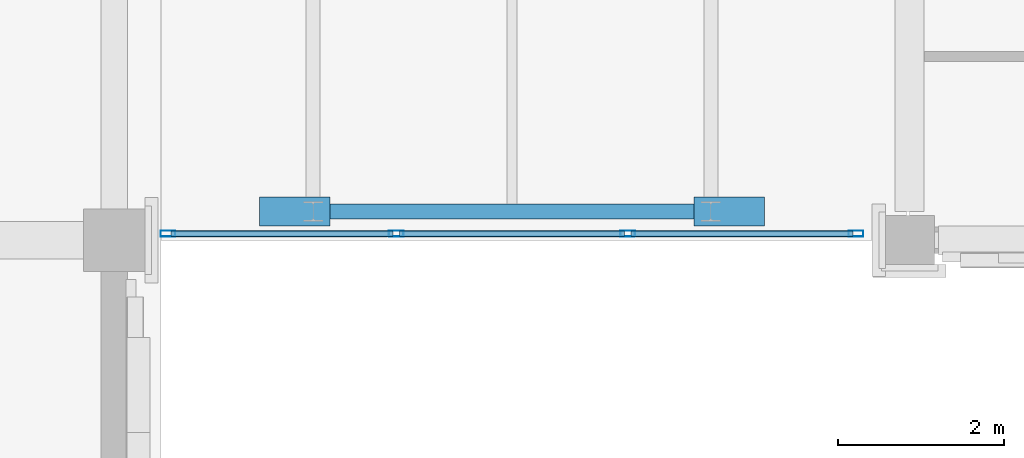
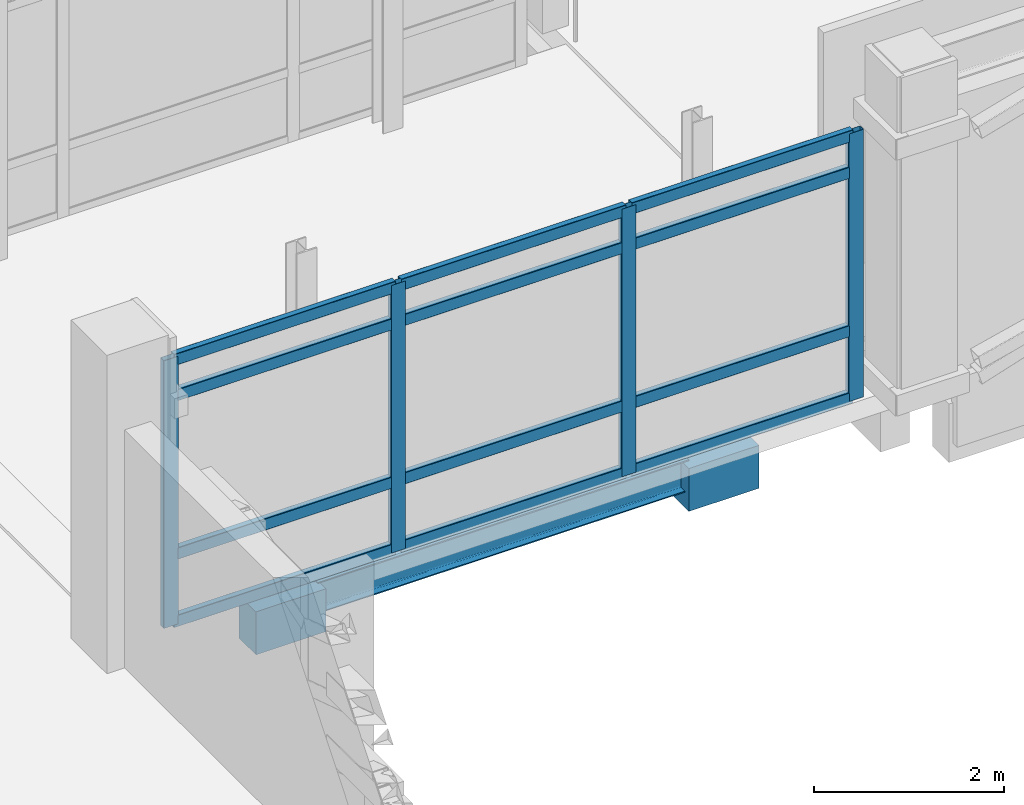
# One storey, part 101 of 180: 16 members, 3 beams, 1 element without a shape of its own.
"""IFC4 building model written with IfcOpenShell, lengths in metres."""

import ifcopenshell
import ifcopenshell.guid

model = None  # the IFC model being written
_history = None  # IfcOwnerHistory: only IFC2X3 demands one
_inside = {}  # id of a spatial element -> (the spatial element, [elements in it])
_under = {}  # id of a project, library or spatial element -> (it, [spatial elements below it])
_declared = {}  # id of a project -> (the project, [libraries it declares])
_typed = {}  # id of a type object -> (the type object, [elements of that type])
_made_of = {}  # id of a material, layer set ... -> (it, [elements and type objects made of it])


def new_model(schema):
    """Start an empty IFC model of exactly this schema.

    Asked for "IFC4X3", IfcOpenShell would pick the latest addendum, in which some entities
    have other attributes; the version numbers below select the first issue.
    IFC2X3 requires an IfcOwnerHistory on every rooted entity: one is made here for all.
    """
    global model, _history
    if schema == "IFC4X3":
        model = ifcopenshell.file(schema_version=(4, 3, 0, 0))
    else:
        model = ifcopenshell.file(schema=schema)
    _inside.clear()
    _under.clear()
    _declared.clear()
    _typed.clear()
    _made_of.clear()
    _history = None
    if model.schema == "IFC2X3":
        org = make("IfcOrganization", Name="unknown")
        user = make(
            "IfcPersonAndOrganization",
            ThePerson=make("IfcPerson", FamilyName="unknown"),
            TheOrganization=org,
        )
        app = make(
            "IfcApplication",
            ApplicationDeveloper=org,
            Version="unknown",
            ApplicationFullName="unknown",
            ApplicationIdentifier="unknown",
        )
        _history = make(
            "IfcOwnerHistory",
            OwningUser=user,
            OwningApplication=app,
            ChangeAction="ADDED",
            CreationDate=0,
        )
    return model


def make(cls, **values):
    """One entity of the class cls with the attributes given. An attribute that is None is left unset."""
    return model.create_entity(
        cls, **{name: value for name, value in values.items() if value is not None}
    )


def rooted(cls, **values):
    """An entity with a GlobalId (a new one), such as an element, a storey or a relation."""
    return make(cls, GlobalId=ifcopenshell.guid.new(), OwnerHistory=_history, **values)


def si_unit(unit_type, name, prefix=None):
    """IfcSIUnit, for example si_unit("LENGTHUNIT", "METRE", prefix="MILLI")."""
    return make("IfcSIUnit", UnitType=unit_type, Prefix=prefix, Name=name)


def assignment(units):
    """IfcUnitAssignment: the units of a project."""
    return None if units is None else make("IfcUnitAssignment", Units=units)


def point(xyz):
    """IfcCartesianPoint."""
    return None if xyz is None else make("IfcCartesianPoint", Coordinates=xyz)


def direction(xyz):
    """IfcDirection."""
    return None if xyz is None else make("IfcDirection", DirectionRatios=xyz)


def frame(location, z_axis=None, x_axis=None):
    """IfcAxis2Placement3D, a coordinate frame: its origin and axes. An axis left out is left unset."""
    return make(
        "IfcAxis2Placement3D",
        Location=point(location),
        Axis=direction(z_axis),
        RefDirection=direction(x_axis),
    )


def frame_2d(location, x_axis=None):
    """IfcAxis2Placement2D, a coordinate frame in the plane: its origin and x axis."""
    return make(
        "IfcAxis2Placement2D", Location=point(location), RefDirection=direction(x_axis)
    )


def origin():
    """The frame at (0, 0, 0) with its axes left unset."""
    return frame((0.0, 0.0, 0.0))


def origin_2d():
    """The frame at (0, 0) in the plane with its x axis left unset."""
    return frame_2d((0.0, 0.0))


def place(relative_to, where):
    """IfcLocalPlacement: puts the frame where relative to a parent placement (None: the world)."""
    return make(
        "IfcLocalPlacement", PlacementRelTo=relative_to, RelativePlacement=where
    )


def context(
    kind, dimensions, precision=None, world=None, true_north=None, identifier=None
):
    """IfcGeometricRepresentationContext, for example the 3D "Model" context."""
    return make(
        "IfcGeometricRepresentationContext",
        ContextIdentifier=identifier,
        ContextType=kind,
        CoordinateSpaceDimension=dimensions,
        Precision=precision,
        WorldCoordinateSystem=world,
        TrueNorth=true_north,
    )


def subcontext(parent, identifier, kind, view, scale=None):
    """IfcGeometricRepresentationSubContext, for example "Body" below "Model"."""
    return make(
        "IfcGeometricRepresentationSubContext",
        ContextIdentifier=identifier,
        ContextType=kind,
        ParentContext=parent,
        TargetScale=scale,
        TargetView=view,
    )


def project(units=None, contexts=None):
    """IfcProject with its units and contexts."""
    return rooted(
        "IfcProject",
        Name="project",
        RepresentationContexts=contexts,
        UnitsInContext=assignment(units),
    )


def spatial(cls, under=None, at=None, **own):
    """A site, building, storey or space (cls), placed at a placement, below another one or the project."""
    s = rooted(cls, ObjectPlacement=at, **own)
    if under is not None:
        _under.setdefault(under.id(), (under, []))[1].append(s)
    return s


def profile(cls, at=None, kind="AREA", **sizes):
    """A parametric profile (cls). Its sizes go by their IFC names, for example OverallWidth=200.0."""
    return make(cls, ProfileType=kind, Position=at, **sizes)


def rectangle(**sizes):
    """IfcRectangleProfileDef."""
    return profile("IfcRectangleProfileDef", **sizes)


def hollow_rectangle(**sizes):
    """IfcRectangleHollowProfileDef."""
    return profile("IfcRectangleHollowProfileDef", **sizes)


def i_section(**sizes):
    """IfcIShapeProfileDef."""
    return profile("IfcIShapeProfileDef", **sizes)


def extrude(swept, where, along, depth):
    """IfcExtrudedAreaSolid: the profile swept, set in the frame where, extruded along a direction by depth."""
    return make(
        "IfcExtrudedAreaSolid",
        SweptArea=swept,
        Position=where,
        ExtrudedDirection=direction(along),
        Depth=depth,
    )


def shape(context_of_items, identifier, shape_type, items):
    """IfcShapeRepresentation: the items that make up one representation, for example the "Body"."""
    return make(
        "IfcShapeRepresentation",
        ContextOfItems=context_of_items,
        RepresentationIdentifier=identifier,
        RepresentationType=shape_type,
        Items=items,
    )


def material(Name=None, Category=None):
    """IfcMaterial."""
    return make("IfcMaterial", Name=Name, Category=Category)


def layer(
    of_material, thickness, ventilated=None, Name=None, Category=None, Priority=None
):
    """IfcMaterialLayer: one layer of a wall or slab, of a material (None: an air gap)."""
    return make(
        "IfcMaterialLayer",
        Material=of_material,
        LayerThickness=thickness,
        IsVentilated=ventilated,
        Name=Name,
        Category=Category,
        Priority=Priority,
    )


def layer_set(layers, Name=None):
    """IfcMaterialLayerSet."""
    return make("IfcMaterialLayerSet", MaterialLayers=layers, LayerSetName=Name)


def material_profile(
    of_material, cross_section, Name=None, Category=None, Priority=None
):
    """IfcMaterialProfile: a cross section and its material."""
    return make(
        "IfcMaterialProfile",
        Name=Name,
        Material=of_material,
        Profile=cross_section,
        Priority=Priority,
        Category=Category,
    )


def profile_set(profiles, Name=None, composite=None):
    """IfcMaterialProfileSet."""
    return make(
        "IfcMaterialProfileSet",
        Name=Name,
        MaterialProfiles=profiles,
        CompositeProfile=composite,
    )


def made_of(thing, what):
    """Note that an element or type object is made of a material, layer set ...; save() writes the relation."""
    if what is not None:
        _made_of.setdefault(what.id(), (what, []))[1].append(thing)
    return thing


def type_object(cls, material=None, **own):
    """A type object (cls), such as IfcWallType, which elements share."""
    return made_of(rooted(cls, **own), material)


def element(
    cls,
    number,
    at=None,
    inside=None,
    cuts=None,
    type_object=None,
    material=None,
    context=None,
    identifier="Body",
    shape_type=None,
    held_by="IfcProductDefinitionShape",
    body=None,
    shapes=None,
    **own,
):
    """One element of the class cls, such as IfcWall. Its Tag is "e" and its number.

    at: its placement. inside: the storey or other place that contains it. cuts: it is an
    opening in that element (IfcRelVoidsElement). A single representation is given by context,
    identifier, shape_type and body (its items); several are given by shapes. held_by: the class
    of the entity that holds the representations. save() writes the other relations.
    """
    e = rooted(cls, Tag="e%d" % number, ObjectPlacement=at, **own)
    if body is not None:
        shapes = [shape(context, identifier, shape_type, body)]
    if shapes is not None:
        e.Representation = make(held_by, Representations=shapes)
    if inside is not None:
        _inside.setdefault(inside.id(), (inside, []))[1].append(e)
    if cuts is not None:
        rooted(
            "IfcRelVoidsElement", RelatingBuildingElement=cuts, RelatedOpeningElement=e
        )
    if type_object is not None:
        _typed.setdefault(type_object.id(), (type_object, []))[1].append(e)
    return made_of(e, material)


def aggregate(whole, parts):
    """IfcRelAggregates: a whole, such as a stair, and the parts it consists of."""
    return rooted("IfcRelAggregates", RelatingObject=whole, RelatedObjects=parts)


def save(model, path):
    """Write the relations noted so far, then the file.

    IfcRelAggregates (storeys below a building ...), IfcRelContainedInSpatialStructure (elements
    in a storey), IfcRelDefinesByType, IfcRelAssociatesMaterial and IfcRelDeclares: one each for
    every whole, place, type object, material and project.
    """
    for whole, parts in _under.values():
        aggregate(whole, parts)
    for where, things in _inside.values():
        rooted(
            "IfcRelContainedInSpatialStructure",
            RelatedElements=things,
            RelatingStructure=where,
        )
    for kind, things in _typed.values():
        rooted("IfcRelDefinesByType", RelatedObjects=things, RelatingType=kind)
    for what, things in _made_of.values():
        rooted("IfcRelAssociatesMaterial", RelatedObjects=things, RelatingMaterial=what)
    for by, libraries in _declared.values():
        rooted("IfcRelDeclares", RelatingContext=by, RelatedDefinitions=libraries)
    model.write(path)


model = new_model("IFC4")

# Units and contexts
model_context = context("Model", 3, precision=1e-05, world=origin(), true_north=direction((0.0, 1.0)))
body_context = subcontext(model_context, "Body", "Model", "MODEL_VIEW")
ifc_project = project(units=[si_unit("LENGTHUNIT", "METRE"), si_unit("AREAUNIT", "SQUARE_METRE"), si_unit("VOLUMEUNIT", "CUBIC_METRE"), si_unit("PLANEANGLEUNIT", "RADIAN"), si_unit("MASSUNIT", "GRAM", prefix="KILO")], contexts=[model_context])

# Site, building, storey
site_placement = place(None, origin())
site = spatial("IfcSite", under=ifc_project, at=site_placement, CompositionType="ELEMENT")
building_placement = place(site_placement, origin())
building = spatial("IfcBuilding", under=site, at=building_placement, Name="Asteropetra Specialist Clinic", CompositionType="ELEMENT")
storey_placement = place(building_placement, frame((0.0, 0.0, 4.419921875)))
storey = spatial("IfcBuildingStorey", under=building, at=storey_placement, Name="L01", CompositionType="ELEMENT", Elevation=4.419921875)

# Beams
ifc_material_1 = material(Name="Concrete C35/45", Category="concrete")
ifc_material_profile_1 = material_profile(ifc_material_1, rectangle(XDim=0.35009765625, YDim=0.550048828125, at=origin_2d()), Name="RCB 350x550")
ifc_profile_set_1 = profile_set([ifc_material_profile_1], Name="Concrete C35/45")
beam_type_1 = type_object("IfcBeamType", Name="BM-RC350x550", PredefinedType="BEAM", material=ifc_profile_set_1)
for number, where, z_axis, x_axis, name in (
    (1, (79.39990234375, 77.14990234375, -0.559814453125), (-1.0, 0.0, 0.0), (0.0, -1.0, 0.0), "Bridge Bearing Seat Corbel CRB-21"),
    (2, (83.800048828125, 77.14990234375, -0.559814453125), (1.0, 0.0, 0.0), (0.0, 1.0, 0.0), "Bridge Bearing Seat Corbel CRB-22"),
):
    element("IfcBeam", number, at=place(storey_placement, frame(where, z_axis=z_axis, x_axis=x_axis)), inside=storey, type_object=beam_type_1, Name=name, PredefinedType="BEAM", context=body_context, shape_type="SweptSolid", body=[
        extrude(rectangle(XDim=0.35009765625, YDim=0.550048828125, at=origin_2d()), origin(), (0.0, 0.0, 1.0), 0.849853515625),
    ])
ifc_material_2 = material(Name="Steel S355", Category="steel")
ifc_material_profile_2 = material_profile(ifc_material_2, i_section(OverallWidth=0.179931640625, OverallDepth=0.39990234375, WebThickness=0.008544921875, FlangeThickness=0.013427734375, FilletRadius=0.02099609375, at=origin_2d()), Name="IPE 400")
ifc_profile_set_2 = profile_set([ifc_material_profile_2], Name="Steel S355")
beam_type_2 = type_object("IfcBeamType", Name="BM-STL-IPE400", PredefinedType="BEAM", material=ifc_profile_set_2)
beam_placement = place(storey_placement, frame((79.35009765625, 77.14990234375, -0.43994140625), z_axis=(1.0, 0.0, 0.0), x_axis=(0.0, 1.0, 0.0)))
element("IfcBeam", 3, at=beam_placement, inside=storey, type_object=beam_type_2, Name="Beam BBMS3-0822", PredefinedType="BEAM", context=body_context, shape_type="SweptSolid", body=[
    extrude(i_section(OverallWidth=0.179931640625, OverallDepth=0.39990234375, WebThickness=0.008544921875, FlangeThickness=0.013427734375, FilletRadius=0.02099609375, at=origin_2d()), origin(), (0.0, 0.0, 1.0), 4.5),
])

# Curtain wall, members
ifc_material_3 = material(Name="Aluminium and low-E glass", Category="aluminium")
ifc_layer = layer(ifc_material_3, 0.179931640625)
ifc_layer_set = layer_set([ifc_layer], Name="Aluminium and low-E glass")
curtain_wall_type = type_object("IfcCurtainWallType", Name="CW-SYS-01", PredefinedType="USERDEFINED", material=ifc_layer_set)
curtain_wall_placement = place(storey_placement, origin())
curtain_wall = element("IfcCurtainWall", 4, at=curtain_wall_placement, inside=storey, type_object=curtain_wall_type, Name="Curtain Wall CW-111", ObjectType="UNITISED CURTAIN WALL", PredefinedType="USERDEFINED")
ifc_material_4 = material(Name="Aluminium 6063-T6", Category="aluminium")
ifc_material_profile_3 = material_profile(ifc_material_4, hollow_rectangle(XDim=0.074951171875, YDim=0.179931640625, WallThickness=0.00390625, InnerFilletRadius=0.00390625, OuterFilletRadius=0.008056640625, at=origin_2d()), Name="MUL 180x75x4.0")
ifc_profile_set_3 = profile_set([ifc_material_profile_3], Name="Aluminium 6063-T6")
member_type_1 = type_object("IfcMemberType", Name="CWM-180x75", PredefinedType="MULLION", material=ifc_profile_set_3)
member_1_placement = place(storey_placement, frame((77.447509765625, 76.8798828125, 0.0), z_axis=(0.0, 0.0, 1.0), x_axis=(0.0, 1.0, 0.0)))
member_1 = element("IfcMember", 5, at=member_1_placement, type_object=member_type_1, Name="CW-111 mullion 1", PredefinedType="MULLION", context=body_context, shape_type="SweptSolid", body=[
    extrude(hollow_rectangle(XDim=0.074951171875, YDim=0.179931640625, WallThickness=0.00390625, InnerFilletRadius=0.00390625, OuterFilletRadius=0.008056640625, at=origin_2d()), origin(), (0.0, 0.0, 1.0), 3.43017578125),
])
member_2_placement = place(storey_placement, frame((80.203369140625, 76.8798828125, 0.0), z_axis=(0.0, 0.0, 1.0), x_axis=(0.0, 1.0, 0.0)))
member_2 = element("IfcMember", 6, at=member_2_placement, type_object=member_type_1, Name="CW-111 mullion 2", PredefinedType="MULLION", context=body_context, shape_type="SweptSolid", body=[
    extrude(hollow_rectangle(XDim=0.074951171875, YDim=0.179931640625, WallThickness=0.00390625, InnerFilletRadius=0.00390625, OuterFilletRadius=0.008056640625, at=origin_2d()), origin(), (0.0, 0.0, 1.0), 3.43017578125),
])
member_3_placement = place(storey_placement, frame((82.99658203125, 76.8798828125, 0.0), z_axis=(0.0, 0.0, 1.0), x_axis=(0.0, 1.0, 0.0)))
member_3 = element("IfcMember", 7, at=member_3_placement, type_object=member_type_1, Name="CW-111 mullion 3", PredefinedType="MULLION", context=body_context, shape_type="SweptSolid", body=[
    extrude(hollow_rectangle(XDim=0.074951171875, YDim=0.179931640625, WallThickness=0.00390625, InnerFilletRadius=0.00390625, OuterFilletRadius=0.008056640625, at=origin_2d()), origin(), (0.0, 0.0, 1.0), 3.43017578125),
])
member_4_placement = place(storey_placement, frame((85.75244140625, 76.8798828125, 0.0), z_axis=(0.0, 0.0, 1.0), x_axis=(0.0, 1.0, 0.0)))
member_4 = element("IfcMember", 8, at=member_4_placement, type_object=member_type_1, Name="CW-111 mullion 4", PredefinedType="MULLION", context=body_context, shape_type="SweptSolid", body=[
    extrude(hollow_rectangle(XDim=0.074951171875, YDim=0.179931640625, WallThickness=0.00390625, InnerFilletRadius=0.00390625, OuterFilletRadius=0.008056640625, at=origin_2d()), origin(), (0.0, 0.0, 1.0), 3.43017578125),
])
ifc_material_5 = material(Name="Aluminium 6063-T6", Category="aluminium")
ifc_material_profile_4 = material_profile(ifc_material_5, hollow_rectangle(XDim=0.074951171875, YDim=0.14990234375, WallThickness=0.00390625, InnerFilletRadius=0.00390625, OuterFilletRadius=0.008056640625, at=origin_2d()), Name="TRN 150x75x4.0")
ifc_profile_set_4 = profile_set([ifc_material_profile_4], Name="Aluminium 6063-T6")
member_type_2 = type_object("IfcMemberType", Name="CWT-150x75", PredefinedType="USERDEFINED", material=ifc_profile_set_4)
member_5_placement = place(storey_placement, frame((77.485107421875, 76.8798828125, 0.03759765625), z_axis=(1.0, 0.0, 0.0), x_axis=(0.0, 1.0, 0.0)))
member_5 = element("IfcMember", 9, at=member_5_placement, type_object=member_type_2, Name="CW-111 transom 1.1", ObjectType="TRANSOM", PredefinedType="USERDEFINED", context=body_context, shape_type="SweptSolid", body=[
    extrude(hollow_rectangle(XDim=0.074951171875, YDim=0.14990234375, WallThickness=0.00390625, InnerFilletRadius=0.00390625, OuterFilletRadius=0.008056640625, at=origin_2d()), origin(), (0.0, 0.0, 1.0), 2.6806640625),
])
member_6_placement = place(storey_placement, frame((77.485107421875, 76.8798828125, 0.900146484375), z_axis=(1.0, 0.0, 0.0), x_axis=(0.0, 1.0, 0.0)))
member_6 = element("IfcMember", 10, at=member_6_placement, type_object=member_type_2, Name="CW-111 transom 1.2", ObjectType="TRANSOM", PredefinedType="USERDEFINED", context=body_context, shape_type="SweptSolid", body=[
    extrude(hollow_rectangle(XDim=0.074951171875, YDim=0.14990234375, WallThickness=0.00390625, InnerFilletRadius=0.00390625, OuterFilletRadius=0.008056640625, at=origin_2d()), origin(), (0.0, 0.0, 1.0), 2.6806640625),
])
member_7_placement = place(storey_placement, frame((77.485107421875, 76.8798828125, 2.93017578125), z_axis=(1.0, 0.0, 0.0), x_axis=(0.0, 1.0, 0.0)))
member_7 = element("IfcMember", 11, at=member_7_placement, type_object=member_type_2, Name="CW-111 transom 1.3", ObjectType="TRANSOM", PredefinedType="USERDEFINED", context=body_context, shape_type="SweptSolid", body=[
    extrude(hollow_rectangle(XDim=0.074951171875, YDim=0.14990234375, WallThickness=0.00390625, InnerFilletRadius=0.00390625, OuterFilletRadius=0.008056640625, at=origin_2d()), origin(), (0.0, 0.0, 1.0), 2.6806640625),
])
member_8_placement = place(storey_placement, frame((77.485107421875, 76.8798828125, 3.392578125), z_axis=(1.0, 0.0, 0.0), x_axis=(0.0, 1.0, 0.0)))
member_8 = element("IfcMember", 12, at=member_8_placement, type_object=member_type_2, Name="CW-111 transom 1.4", ObjectType="TRANSOM", PredefinedType="USERDEFINED", context=body_context, shape_type="SweptSolid", body=[
    extrude(hollow_rectangle(XDim=0.074951171875, YDim=0.14990234375, WallThickness=0.00390625, InnerFilletRadius=0.00390625, OuterFilletRadius=0.008056640625, at=origin_2d()), origin(), (0.0, 0.0, 1.0), 2.6806640625),
])
member_9_placement = place(storey_placement, frame((80.24072265625, 76.8798828125, 0.03759765625), z_axis=(1.0, 0.0, 0.0), x_axis=(0.0, 1.0, 0.0)))
member_9 = element("IfcMember", 13, at=member_9_placement, type_object=member_type_2, Name="CW-111 transom 2.1", ObjectType="TRANSOM", PredefinedType="USERDEFINED", context=body_context, shape_type="SweptSolid", body=[
    extrude(hollow_rectangle(XDim=0.074951171875, YDim=0.14990234375, WallThickness=0.00390625, InnerFilletRadius=0.00390625, OuterFilletRadius=0.008056640625, at=origin_2d()), origin(), (0.0, 0.0, 1.0), 2.718505859375),
])
member_10_placement = place(storey_placement, frame((80.24072265625, 76.8798828125, 0.900146484375), z_axis=(1.0, 0.0, 0.0), x_axis=(0.0, 1.0, 0.0)))
member_10 = element("IfcMember", 14, at=member_10_placement, type_object=member_type_2, Name="CW-111 transom 2.2", ObjectType="TRANSOM", PredefinedType="USERDEFINED", context=body_context, shape_type="SweptSolid", body=[
    extrude(hollow_rectangle(XDim=0.074951171875, YDim=0.14990234375, WallThickness=0.00390625, InnerFilletRadius=0.00390625, OuterFilletRadius=0.008056640625, at=origin_2d()), origin(), (0.0, 0.0, 1.0), 2.718505859375),
])
member_11_placement = place(storey_placement, frame((80.24072265625, 76.8798828125, 2.93017578125), z_axis=(1.0, 0.0, 0.0), x_axis=(0.0, 1.0, 0.0)))
member_11 = element("IfcMember", 15, at=member_11_placement, type_object=member_type_2, Name="CW-111 transom 2.3", ObjectType="TRANSOM", PredefinedType="USERDEFINED", context=body_context, shape_type="SweptSolid", body=[
    extrude(hollow_rectangle(XDim=0.074951171875, YDim=0.14990234375, WallThickness=0.00390625, InnerFilletRadius=0.00390625, OuterFilletRadius=0.008056640625, at=origin_2d()), origin(), (0.0, 0.0, 1.0), 2.718505859375),
])
member_12_placement = place(storey_placement, frame((80.24072265625, 76.8798828125, 3.392578125), z_axis=(1.0, 0.0, 0.0), x_axis=(0.0, 1.0, 0.0)))
member_12 = element("IfcMember", 16, at=member_12_placement, type_object=member_type_2, Name="CW-111 transom 2.4", ObjectType="TRANSOM", PredefinedType="USERDEFINED", context=body_context, shape_type="SweptSolid", body=[
    extrude(hollow_rectangle(XDim=0.074951171875, YDim=0.14990234375, WallThickness=0.00390625, InnerFilletRadius=0.00390625, OuterFilletRadius=0.008056640625, at=origin_2d()), origin(), (0.0, 0.0, 1.0), 2.718505859375),
])
member_13_placement = place(storey_placement, frame((83.0341796875, 76.8798828125, 0.03759765625), z_axis=(1.0, 0.0, 0.0), x_axis=(0.0, 1.0, 0.0)))
member_13 = element("IfcMember", 17, at=member_13_placement, type_object=member_type_2, Name="CW-111 transom 3.1", ObjectType="TRANSOM", PredefinedType="USERDEFINED", context=body_context, shape_type="SweptSolid", body=[
    extrude(hollow_rectangle(XDim=0.074951171875, YDim=0.14990234375, WallThickness=0.00390625, InnerFilletRadius=0.00390625, OuterFilletRadius=0.008056640625, at=origin_2d()), origin(), (0.0, 0.0, 1.0), 2.680908203125),
])
member_14_placement = place(storey_placement, frame((83.0341796875, 76.8798828125, 0.900146484375), z_axis=(1.0, 0.0, 0.0), x_axis=(0.0, 1.0, 0.0)))
member_14 = element("IfcMember", 18, at=member_14_placement, type_object=member_type_2, Name="CW-111 transom 3.2", ObjectType="TRANSOM", PredefinedType="USERDEFINED", context=body_context, shape_type="SweptSolid", body=[
    extrude(hollow_rectangle(XDim=0.074951171875, YDim=0.14990234375, WallThickness=0.00390625, InnerFilletRadius=0.00390625, OuterFilletRadius=0.008056640625, at=origin_2d()), origin(), (0.0, 0.0, 1.0), 2.680908203125),
])
member_15_placement = place(storey_placement, frame((83.0341796875, 76.8798828125, 2.93017578125), z_axis=(1.0, 0.0, 0.0), x_axis=(0.0, 1.0, 0.0)))
member_15 = element("IfcMember", 19, at=member_15_placement, type_object=member_type_2, Name="CW-111 transom 3.3", ObjectType="TRANSOM", PredefinedType="USERDEFINED", context=body_context, shape_type="SweptSolid", body=[
    extrude(hollow_rectangle(XDim=0.074951171875, YDim=0.14990234375, WallThickness=0.00390625, InnerFilletRadius=0.00390625, OuterFilletRadius=0.008056640625, at=origin_2d()), origin(), (0.0, 0.0, 1.0), 2.680908203125),
])
member_16_placement = place(storey_placement, frame((83.0341796875, 76.8798828125, 3.392578125), z_axis=(1.0, 0.0, 0.0), x_axis=(0.0, 1.0, 0.0)))
member_16 = element("IfcMember", 20, at=member_16_placement, type_object=member_type_2, Name="CW-111 transom 3.4", ObjectType="TRANSOM", PredefinedType="USERDEFINED", context=body_context, shape_type="SweptSolid", body=[
    extrude(hollow_rectangle(XDim=0.074951171875, YDim=0.14990234375, WallThickness=0.00390625, InnerFilletRadius=0.00390625, OuterFilletRadius=0.008056640625, at=origin_2d()), origin(), (0.0, 0.0, 1.0), 2.680908203125),
])
aggregate(curtain_wall, [member_1, member_2, member_3, member_4, member_5, member_6, member_7, member_8, member_9, member_10, member_11, member_12, member_13, member_14, member_15, member_16])

save(model, "model.ifc")
